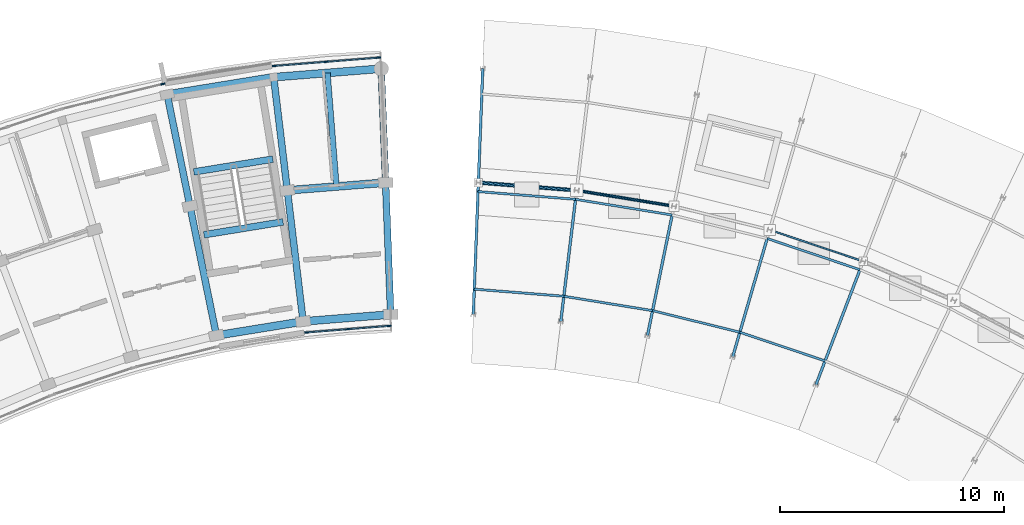
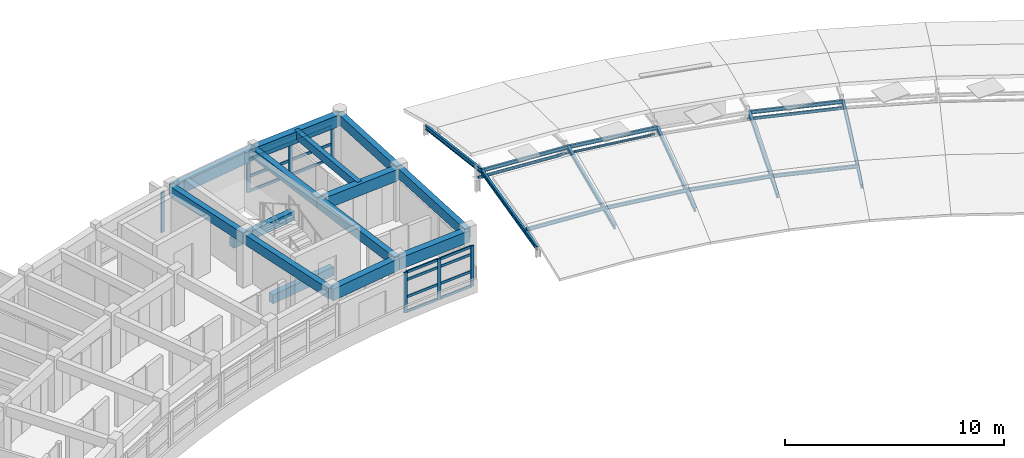
# One storey, part 10 of 20: 27 beams, 26 members, 3 elements without a shape of their own.
"""IFC4 building model written with IfcOpenShell, lengths in metres."""

from ifc_helpers import new_model, si_unit, direction, frame, origin, origin_2d, place, context, subcontext, project, spatial, rectangle, hollow_rectangle, hollow_circle, i_section, extrude, material, material_profile, profile_set, type_object, element, aggregate, save


model = new_model("IFC4")

# Units and contexts
model_context = context("Model", 3, precision=1e-05, world=origin(), true_north=direction((0.0, 1.0)))
body_context = subcontext(model_context, "Body", "Model", "MODEL_VIEW")
ifc_project = project(units=[si_unit("LENGTHUNIT", "METRE"), si_unit("AREAUNIT", "SQUARE_METRE"), si_unit("VOLUMEUNIT", "CUBIC_METRE"), si_unit("PLANEANGLEUNIT", "RADIAN"), si_unit("MASSUNIT", "GRAM", prefix="KILO")], contexts=[model_context])

# Site, building, storey
site_placement = place(None, origin())
site = spatial("IfcSite", under=ifc_project, at=site_placement, CompositionType="ELEMENT")
building_placement = place(site_placement, origin())
building = spatial("IfcBuilding", under=site, at=building_placement, Name="Zimvara Arc Housing Community", CompositionType="ELEMENT")
storey_placement = place(building_placement, frame((0.0, 0.0, 39.10009765625)))
storey = spatial("IfcBuildingStorey", under=building, at=storey_placement, Name="L12", CompositionType="ELEMENT", Elevation=39.10009765625)

# Beams
ifc_material_1 = material(Name="Concrete C40/50", Category="concrete")
ifc_material_profile_1 = material_profile(ifc_material_1, rectangle(XDim=0.25, YDim=0.449951171875, at=origin_2d()), Name="RC 250x450")
ifc_profile_set_1 = profile_set([ifc_material_profile_1], Name="Concrete C40/50")
beam_type_1 = type_object("IfcBeamType", Name="BM-RC-250x450", PredefinedType="JOIST", material=ifc_profile_set_1)
beam_1_placement = place(storey_placement, frame((40.7451171875, 98.08642578125, 2.635009765625), z_axis=(-0.079171686291, 0.99686099537, 0.0), x_axis=(-0.99686099537, -0.079171686291, 0.0)))
element("IfcBeam", 1, at=beam_1_placement, inside=storey, type_object=beam_type_1, Name="bm:blkA:L12:joist:b9", PredefinedType="JOIST", context=body_context, shape_type="SweptSolid", body=[
    extrude(rectangle(XDim=0.25, YDim=0.449951171875, at=origin_2d()), origin(), (0.0, 0.0, 1.0), 5.07568359375),
])
ifc_material_2 = material(Name="Concrete C40/50", Category="concrete")
ifc_material_profile_2 = material_profile(ifc_material_2, rectangle(XDim=0.300048828125, YDim=0.5, at=origin_2d()), Name="RC 300x500")
ifc_profile_set_2 = profile_set([ifc_material_profile_2], Name="Concrete C40/50")
beam_type_2 = type_object("IfcBeamType", Name="BM-RC-300x500", PredefinedType="BEAM", material=ifc_profile_set_2)
for number, where, z_axis, x_axis, name in (
    (2, (38.3662109375, 96.509033203125, -0.25), (-0.987080057935, -0.160227835371, 0.0), (0.160227835371, -0.987080057935, 0.0), "bm:stair_trim:ST-A2:L12:near"),
    (3, (37.911865234375, 99.307373046875, 1.2998046875), (-0.987080057935, -0.160227835371, 0.0), (0.160227835371, -0.987080057935, 0.0), "bm:stair_trim:ST-A2:L12:mid"),
):
    element("IfcBeam", number, at=place(storey_placement, frame(where, z_axis=z_axis, x_axis=x_axis)), inside=storey, type_object=beam_type_2, Name=name, PredefinedType="BEAM", context=body_context, shape_type="SweptSolid", body=[
        extrude(rectangle(XDim=0.300048828125, YDim=0.5, at=origin_2d()), origin(), (0.0, 0.0, 1.0), 3.570068359375),
    ])
ifc_material_3 = material(Name="Concrete C40/50", Category="concrete")
ifc_material_profile_3 = material_profile(ifc_material_3, rectangle(XDim=0.300048828125, YDim=0.550048828125, at=origin_2d()), Name="RC 300x550")
ifc_profile_set_3 = profile_set([ifc_material_profile_3], Name="Concrete C40/50")
beam_type_3 = type_object("IfcBeamType", Name="BM-RC-300x550", PredefinedType="BEAM", material=ifc_profile_set_3)
beam_2_placement = place(storey_placement, frame((35.397216796875, 91.447998046875, 2.5849609375), z_axis=(-0.200417973989, 0.979710485655, 0.0), x_axis=(-0.979710485655, -0.200417973989, 0.0)))
element("IfcBeam", 4, at=beam_2_placement, inside=storey, type_object=beam_type_3, Name="bm:blkA:L12:rad:b8:r12", PredefinedType="BEAM", context=body_context, shape_type="SweptSolid", body=[
    extrude(rectangle(XDim=0.300048828125, YDim=0.550048828125, at=origin_2d()), origin(), (0.0, 0.0, 1.0), 5.880126953125),
])
beam_3_placement = place(storey_placement, frame((34.21875, 97.208740234375, 2.5849609375), z_axis=(-0.200411962389, 0.97971171542, 0.0), x_axis=(-0.97971171542, -0.200411962389, 0.0)))
element("IfcBeam", 5, at=beam_3_placement, inside=storey, type_object=beam_type_3, Name="bm:blkA:L12:rad:b8:r23", PredefinedType="BEAM", context=body_context, shape_type="SweptSolid", body=[
    extrude(rectangle(XDim=0.300048828125, YDim=0.550048828125, at=origin_2d()), origin(), (0.0, 0.0, 1.0), 5.079833984375),
])
beam_4_placement = place(storey_placement, frame((39.259765625, 92.074951171875, 2.5849609375), z_axis=(-0.119827921695, 0.992794676246, 0.0), x_axis=(-0.992794676246, -0.119827921695, 0.0)))
element("IfcBeam", 6, at=beam_4_placement, inside=storey, type_object=beam_type_3, Name="bm:blkA:L12:rad:b9:r12", PredefinedType="BEAM", context=body_context, shape_type="SweptSolid", body=[
    extrude(rectangle(XDim=0.300048828125, YDim=0.550048828125, at=origin_2d()), origin(), (0.0, 0.0, 1.0), 5.880126953125),
])
beam_5_placement = place(storey_placement, frame((38.55517578125, 97.91259765625, 2.5849609375), z_axis=(-0.119762990499, 0.99280251113, 0.0), x_axis=(-0.99280251113, -0.119762990499, 0.0)))
element("IfcBeam", 7, at=beam_5_placement, inside=storey, type_object=beam_type_3, Name="bm:blkA:L12:rad:b9:r23", PredefinedType="BEAM", context=body_context, shape_type="SweptSolid", body=[
    extrude(rectangle(XDim=0.300048828125, YDim=0.550048828125, at=origin_2d()), origin(), (0.0, 0.0, 1.0), 5.080078125),
])
beam_6_placement = place(storey_placement, frame((43.160400390625, 92.384765625, 2.5849609375), z_axis=(-0.038366147405, 0.999263748333, 0.0), x_axis=(-0.999263748333, -0.038366147405, 0.0)))
element("IfcBeam", 8, at=beam_6_placement, inside=storey, type_object=beam_type_3, Name="bm:blkA:L12:rad:b10:r12", PredefinedType="BEAM", context=body_context, shape_type="SweptSolid", body=[
    extrude(rectangle(XDim=0.300048828125, YDim=0.550048828125, at=origin_2d()), origin(), (0.0, 0.0, 1.0), 5.8798828125),
])
beam_7_placement = place(storey_placement, frame((42.934814453125, 98.26025390625, 2.5849609375), z_axis=(-0.038398054907, 0.999262522753, 0.0), x_axis=(-0.999262522753, -0.038398054907, 0.0)))
element("IfcBeam", 9, at=beam_7_placement, inside=storey, type_object=beam_type_3, Name="bm:blkA:L12:rad:b10:r23", PredefinedType="BEAM", context=body_context, shape_type="SweptSolid", body=[
    extrude(rectangle(XDim=0.300048828125, YDim=0.550048828125, at=origin_2d()), origin(), (0.0, 0.0, 1.0), 5.080078125),
])
ifc_material_4 = material(Name="Concrete C40/50", Category="concrete")
ifc_material_profile_4 = material_profile(ifc_material_4, rectangle(XDim=0.35009765625, YDim=0.64990234375, at=origin_2d()), Name="RC 350x650")
ifc_profile_set_4 = profile_set([ifc_material_profile_4], Name="Concrete C40/50")
beam_type_4 = type_object("IfcBeamType", Name="BM-RC-350x650", PredefinedType="BEAM", material=ifc_profile_set_4)
beam_8_placement = place(storey_placement, frame((35.397216796875, 91.447998046875, 2.534912109375), z_axis=(0.987081487371, 0.160219029111, 0.0), x_axis=(-0.160219029111, 0.987081487371, 0.0)))
element("IfcBeam", 10, at=beam_8_placement, inside=storey, type_object=beam_type_4, Name="bm:blkA:L12:chord:r1:b8", PredefinedType="BEAM", context=body_context, shape_type="SweptSolid", body=[
    extrude(rectangle(XDim=0.35009765625, YDim=0.64990234375, at=origin_2d()), origin(), (0.0, 0.0, 1.0), 3.9130859375),
])
beam_9_placement = place(storey_placement, frame((39.259765625, 92.074951171875, 2.534912109375), z_axis=(0.99686054795, 0.079177319606, 0.0), x_axis=(-0.079177319606, 0.99686054795, 0.0)))
element("IfcBeam", 11, at=beam_9_placement, inside=storey, type_object=beam_type_4, Name="bm:blkA:L12:chord:r1:b9", PredefinedType="BEAM", context=body_context, shape_type="SweptSolid", body=[
    extrude(rectangle(XDim=0.35009765625, YDim=0.64990234375, at=origin_2d()), origin(), (0.0, 0.0, 1.0), 3.912841796875),
])
beam_10_placement = place(storey_placement, frame((38.55517578125, 97.91259765625, 2.534912109375), z_axis=(0.996864209836, 0.079131202119, 0.0), x_axis=(-0.079131202119, 0.996864209836, 0.0)))
element("IfcBeam", 12, at=beam_10_placement, inside=storey, type_object=beam_type_4, Name="bm:blkA:L12:chord:r2:b9", PredefinedType="BEAM", context=body_context, shape_type="SweptSolid", body=[
    extrude(rectangle(XDim=0.35009765625, YDim=0.64990234375, at=origin_2d()), origin(), (0.0, 0.0, 1.0), 4.393310546875),
])
beam_11_placement = place(storey_placement, frame((33.20068359375, 102.185546875, 2.534912109375), z_axis=(0.987076839731, 0.160247659784, 0.0), x_axis=(-0.160247659784, 0.987076839731, 0.0)))
element("IfcBeam", 13, at=beam_11_placement, inside=storey, type_object=beam_type_4, Name="bm:blkA:L12:chord:r3:b8", PredefinedType="BEAM", context=body_context, shape_type="SweptSolid", body=[
    extrude(rectangle(XDim=0.35009765625, YDim=0.64990234375, at=origin_2d()), origin(), (0.0, 0.0, 1.0), 4.808349609375),
])
beam_12_placement = place(storey_placement, frame((37.94677734375, 102.9560546875, 2.534912109375), z_axis=(0.996861768207, 0.0791619548, 0.0), x_axis=(-0.0791619548, 0.996861768207, 0.0)))
element("IfcBeam", 14, at=beam_12_placement, inside=storey, type_object=beam_type_4, Name="bm:blkA:L12:chord:r3:b9", PredefinedType="BEAM", context=body_context, shape_type="SweptSolid", body=[
    extrude(rectangle(XDim=0.35009765625, YDim=0.64990234375, at=origin_2d()), origin(), (0.0, 0.0, 1.0), 4.80810546875),
])
ifc_material_5 = material(Name="Steel S355", Category="steel")
ifc_material_profile_5 = material_profile(ifc_material_5, i_section(OverallWidth=0.10009765625, OverallDepth=0.199951171875, WebThickness=0.005615234375, FlangeThickness=0.008544921875, FilletRadius=0.011962890625, at=origin_2d()), Name="IPE 200")
ifc_profile_set_5 = profile_set([ifc_material_profile_5], Name="Steel S355")
beam_type_5 = type_object("IfcBeamType", Name="BM-ST-IPE200", PredefinedType="JOIST", material=ifc_profile_set_5)
beam_13_placement = place(storey_placement, frame((46.8828125, 93.513916015625, 0.824951171875), z_axis=(0.996860659962, -0.079175909342, 0.0), x_axis=(0.079175909342, 0.996860659962, 0.0)))
element("IfcBeam", 15, at=beam_13_placement, inside=storey, type_object=beam_type_5, Name="bm:blkB:L12:p_in:b0", PredefinedType="JOIST", context=body_context, shape_type="SweptSolid", body=[
    extrude(i_section(OverallWidth=0.10009765625, OverallDepth=0.199951171875, WebThickness=0.005615234375, FlangeThickness=0.008544921875, FilletRadius=0.011962890625, at=origin_2d()), origin(), (0.0, 0.0, 1.0), 4.005615234375),
])
beam_14_placement = place(storey_placement, frame((47.0498046875, 97.860595703125, 1.414794921875), z_axis=(0.996861396187, -0.079166639383, 0.0), x_axis=(0.079166639383, 0.996861396187, 0.0)))
element("IfcBeam", 16, at=beam_14_placement, inside=storey, type_object=beam_type_5, Name="bm:blkB:L12:p_crb:b0", PredefinedType="JOIST", context=body_context, shape_type="SweptSolid", body=[
    extrude(i_section(OverallWidth=0.10009765625, OverallDepth=0.199951171875, WebThickness=0.005615234375, FlangeThickness=0.008544921875, FilletRadius=0.011962890625, at=origin_2d()), origin(), (0.0, 0.0, 1.0), 4.360595703125),
])
beam_15_placement = place(storey_placement, frame((50.875732421875, 93.19677734375, 0.824951171875), z_axis=(0.987077089692, -0.160246120094, 0.0), x_axis=(0.160246120094, 0.987077089692, 0.0)))
element("IfcBeam", 17, at=beam_15_placement, inside=storey, type_object=beam_type_5, Name="bm:blkB:L12:p_in:b1", PredefinedType="JOIST", context=body_context, shape_type="SweptSolid", body=[
    extrude(i_section(OverallWidth=0.10009765625, OverallDepth=0.199951171875, WebThickness=0.005615234375, FlangeThickness=0.008544921875, FilletRadius=0.011962890625, at=origin_2d()), origin(), (0.0, 0.0, 1.0), 4.00537109375),
])
beam_16_placement = place(storey_placement, frame((51.396728515625, 97.515380859375, 1.414794921875), z_axis=(0.987087060582, -0.160184689752, 0.0), x_axis=(0.160184689752, 0.987087060582, 0.0)))
element("IfcBeam", 18, at=beam_16_placement, inside=storey, type_object=beam_type_5, Name="bm:blkB:L12:p_crb:b1", PredefinedType="JOIST", context=body_context, shape_type="SweptSolid", body=[
    extrude(i_section(OverallWidth=0.10009765625, OverallDepth=0.199951171875, WebThickness=0.005615234375, FlangeThickness=0.008544921875, FilletRadius=0.011962890625, at=origin_2d()), origin(), (0.0, 0.0, 1.0), 4.360595703125),
])
beam_17_placement = place(storey_placement, frame((54.829345703125, 92.554931640625, 0.824951171875), z_axis=(0.970717036884, -0.240225798578, 0.0), x_axis=(0.240225798578, 0.970717036884, 0.0)))
element("IfcBeam", 19, at=beam_17_placement, inside=storey, type_object=beam_type_5, Name="bm:blkB:L12:p_in:b2", PredefinedType="JOIST", context=body_context, shape_type="SweptSolid", body=[
    extrude(i_section(OverallWidth=0.10009765625, OverallDepth=0.199951171875, WebThickness=0.005615234375, FlangeThickness=0.008544921875, FilletRadius=0.011962890625, at=origin_2d()), origin(), (0.0, 0.0, 1.0), 4.005126953125),
])
beam_18_placement = place(storey_placement, frame((58.71728515625, 91.5927734375, 0.824951171875), z_axis=(0.947887924161, -0.318603959847, 0.0), x_axis=(0.318603959847, 0.947887924161, 0.0)))
element("IfcBeam", 20, at=beam_18_placement, inside=storey, type_object=beam_type_5, Name="bm:blkB:L12:p_in:b3", PredefinedType="JOIST", context=body_context, shape_type="SweptSolid", body=[
    extrude(i_section(OverallWidth=0.10009765625, OverallDepth=0.199951171875, WebThickness=0.005615234375, FlangeThickness=0.008544921875, FilletRadius=0.011962890625, at=origin_2d()), origin(), (0.0, 0.0, 1.0), 4.00537109375),
])
beam_19_placement = place(storey_placement, frame((59.933837890625, 95.769287109375, 1.414794921875), z_axis=(0.947879626716, -0.318628644751, 0.0), x_axis=(0.318628644751, 0.947879626716, 0.0)))
element("IfcBeam", 21, at=beam_19_placement, inside=storey, type_object=beam_type_5, Name="bm:blkB:L12:p_crb:b3", PredefinedType="JOIST", context=body_context, shape_type="SweptSolid", body=[
    extrude(i_section(OverallWidth=0.10009765625, OverallDepth=0.199951171875, WebThickness=0.005615234375, FlangeThickness=0.008544921875, FilletRadius=0.011962890625, at=origin_2d()), origin(), (0.0, 0.0, 1.0), 4.360595703125),
])
ifc_material_6 = material(Name="Steel S355", Category="steel")
ifc_material_profile_6 = material_profile(ifc_material_6, i_section(OverallWidth=0.1201171875, OverallDepth=0.239990234375, WebThickness=0.006103515625, FlangeThickness=0.009765625, FilletRadius=0.014892578125, at=origin_2d()), Name="IPE 240")
ifc_profile_set_6 = profile_set([ifc_material_profile_6], Name="Steel S355")
beam_type_6 = type_object("IfcBeamType", Name="BM-ST-IPE240", PredefinedType="JOIST", material=ifc_profile_set_6)
beam_20_placement = place(storey_placement, frame((46.839599609375, 92.384765625, 0.46240234375), z_axis=(0.037815797876, 0.985099338622, 0.167777407532), x_axis=(-0.999264001686, 0.03835954815, 0.0)))
element("IfcBeam", 22, at=beam_20_placement, inside=storey, type_object=beam_type_6, Name="bm:blkB:L12:rf_in:g0", PredefinedType="JOIST", context=body_context, shape_type="SweptSolid", body=[
    extrude(i_section(OverallWidth=0.1201171875, OverallDepth=0.239990234375, WebThickness=0.006103515625, FlangeThickness=0.009765625, FilletRadius=0.014892578125, at=origin_2d()), origin(), (0.0, 0.0, 1.0), 5.55859375),
])
beam_21_placement = place(storey_placement, frame((47.0498046875, 97.860595703125, 1.39501953125), z_axis=(0.037858017772, 0.985099000726, -0.167769869941), x_axis=(-0.999262358654, 0.038402325152, 0.0)))
element("IfcBeam", 23, at=beam_21_placement, inside=storey, type_object=beam_type_6, Name="bm:blkB:L12:rf_out:g0", PredefinedType="JOIST", context=body_context, shape_type="SweptSolid", body=[
    extrude(i_section(OverallWidth=0.1201171875, OverallDepth=0.239990234375, WebThickness=0.006103515625, FlangeThickness=0.009765625, FilletRadius=0.014892578125, at=origin_2d()), origin(), (0.0, 0.0, 1.0), 5.558837890625),
])
beam_22_placement = place(storey_placement, frame((50.740234375, 92.074951171875, 0.46240234375), z_axis=(0.118102311905, 0.978725146331, 0.167776434167), x_axis=(-0.992797988576, 0.119800475286, 0.0)))
element("IfcBeam", 24, at=beam_22_placement, inside=storey, type_object=beam_type_6, Name="bm:blkB:L12:rf_in:g1", PredefinedType="JOIST", context=body_context, shape_type="SweptSolid", body=[
    extrude(i_section(OverallWidth=0.1201171875, OverallDepth=0.239990234375, WebThickness=0.006103515625, FlangeThickness=0.009765625, FilletRadius=0.014892578125, at=origin_2d()), origin(), (0.0, 0.0, 1.0), 5.55859375),
])
for number, where, z_axis, x_axis, name in (
    (25, (54.602783203125, 91.447998046875, 0.46240234375), (0.197549085334, 0.965829687766, 0.167771788789), (-0.979716323781, 0.200389433148, 0.0), "bm:blkB:L12:rf_in:g2"),
    (26, (58.4013671875, 90.5078125, 0.46240234375), (0.275678825355, 0.946495836422, 0.167770131091), (-0.960104216837, 0.279642437431, 0.0), "bm:blkB:L12:rf_in:g3"),
    (27, (62.110595703125, 89.260986328125, 0.46240234375), (0.351968315666, 0.920853465755, 0.167771271006), (-0.9340933531, 0.357028861151, 0.0), "bm:blkB:L12:rf_in:g4"),
):
    element("IfcBeam", number, at=place(storey_placement, frame(where, z_axis=z_axis, x_axis=x_axis)), inside=storey, type_object=beam_type_6, Name=name, PredefinedType="JOIST", context=body_context, shape_type="SweptSolid", body=[
        extrude(i_section(OverallWidth=0.1201171875, OverallDepth=0.239990234375, WebThickness=0.006103515625, FlangeThickness=0.009765625, FilletRadius=0.014892578125, at=origin_2d()), origin(), (0.0, 0.0, 1.0), 5.558837890625),
    ])

# Curtain wall, members
ifc_material_7 = material(Name="Anodised Aluminium AW-6063", Category="aluminium")
curtain_wall_type_1 = type_object("IfcCurtainWallType", Name="CW-SYS-08", PredefinedType="USERDEFINED", material=ifc_material_7)
curtain_wall_1_placement = place(storey_placement, origin())
curtain_wall_1 = element("IfcCurtainWall", 28, at=curtain_wall_1_placement, inside=storey, type_object=curtain_wall_type_1, Name="cw:blkA:L12:in:b9", ObjectType="CURTAIN WALL", PredefinedType="USERDEFINED")
ifc_material_8 = material(Name="Anodised Aluminium AW-6063", Category="aluminium")
ifc_material_profile_7 = material_profile(ifc_material_8, rectangle(XDim=0.06494140625, YDim=0.179931640625, at=origin_2d()), Name="ALU 65x180")
ifc_profile_set_7 = profile_set([ifc_material_profile_7], Name="Anodised Aluminium AW-6063")
member_type_1 = type_object("IfcMemberType", Name="CWM-65x150", PredefinedType="MULLION", material=ifc_profile_set_7)
member_1_placement = place(storey_placement, frame((39.411865234375, 91.5859375, 0.0), z_axis=(0.0, 0.0, 1.0), x_axis=(-0.079155101851, 0.996862312384, 0.0)))
member_1 = element("IfcMember", 29, at=member_1_placement, type_object=member_type_1, Name="CW08 mullion 1", PredefinedType="MULLION", context=body_context, shape_type="SweptSolid", body=[
    extrude(rectangle(XDim=0.06494140625, YDim=0.179931640625, at=origin_2d()), origin(), (0.0, 0.0, 1.0), 2.25),
])
member_2_placement = place(storey_placement, frame((41.24951171875, 91.731689453125, 0.0), z_axis=(0.0, 0.0, 1.0), x_axis=(-0.079155101851, 0.996862312384, 0.0)))
member_2 = element("IfcMember", 30, at=member_2_placement, type_object=member_type_1, Name="CW08 mullion 2", PredefinedType="MULLION", context=body_context, shape_type="SweptSolid", body=[
    extrude(rectangle(XDim=0.06494140625, YDim=0.179931640625, at=origin_2d()), origin(), (0.0, 0.0, 1.0), 2.25),
])
member_3_placement = place(storey_placement, frame((43.08740234375, 91.877685546875, 0.0), z_axis=(0.0, 0.0, 1.0), x_axis=(-0.079155101851, 0.996862312384, 0.0)))
member_3 = element("IfcMember", 31, at=member_3_placement, type_object=member_type_1, Name="CW08 mullion 3", PredefinedType="MULLION", context=body_context, shape_type="SweptSolid", body=[
    extrude(rectangle(XDim=0.06494140625, YDim=0.179931640625, at=origin_2d()), origin(), (0.0, 0.0, 1.0), 2.25),
])

# Curtain wall, member
ifc_material_9 = material(Name="Anodised Aluminium AW-6063", Category="aluminium")
curtain_wall_type_2 = type_object("IfcCurtainWallType", Name="CW-SYS-05", PredefinedType="USERDEFINED", material=ifc_material_9)
curtain_wall_2_placement = place(storey_placement, origin())
curtain_wall_2 = element("IfcCurtainWall", 32, at=curtain_wall_2_placement, inside=storey, type_object=curtain_wall_type_2, Name="cw:blkA:L12:out:b7", ObjectType="CURTAIN WALL", PredefinedType="USERDEFINED")
ifc_material_10 = material(Name="Anodised Aluminium AW-6063", Category="aluminium")
ifc_material_profile_8 = material_profile(ifc_material_10, rectangle(XDim=0.06494140625, YDim=0.195068359375, at=origin_2d()), Name="ALU 65x195")
ifc_profile_set_8 = profile_set([ifc_material_profile_8], Name="Anodised Aluminium AW-6063")
member_type_2 = type_object("IfcMemberType", Name="CWM-65x180", PredefinedType="MULLION", material=ifc_profile_set_8)
member_4_placement = place(storey_placement, frame((33.0107421875, 102.6533203125, 0.0), z_axis=(0.0, 0.0, 1.0), x_axis=(-0.240229711131, 0.970716068627, 0.0)))
member_4 = element("IfcMember", 33, at=member_4_placement, type_object=member_type_2, Name="CW05 mullion 3", PredefinedType="MULLION", context=body_context, shape_type="SweptSolid", body=[
    extrude(rectangle(XDim=0.06494140625, YDim=0.195068359375, at=origin_2d()), origin(), (0.0, 0.0, 1.0), 2.25),
])
aggregate(curtain_wall_2, [member_4])

# Curtain wall, members
ifc_material_11 = material(Name="Anodised Aluminium AW-6063", Category="aluminium")
curtain_wall_type_3 = type_object("IfcCurtainWallType", Name="CW-SYS-07", PredefinedType="USERDEFINED", material=ifc_material_11)
curtain_wall_3_placement = place(storey_placement, origin())
curtain_wall_3 = element("IfcCurtainWall", 34, at=curtain_wall_3_placement, inside=storey, type_object=curtain_wall_type_3, Name="cw:blkA:L12:out:b9", ObjectType="CURTAIN WALL", PredefinedType="USERDEFINED")
member_5_placement = place(storey_placement, frame((37.97900390625, 103.459716796875, 0.0), z_axis=(0.0, 0.0, 1.0), x_axis=(-0.079153759607, 0.996862418963, 0.0)))
member_5 = element("IfcMember", 35, at=member_5_placement, type_object=member_type_2, Name="CW07 mullion 1", PredefinedType="MULLION", context=body_context, shape_type="SweptSolid", body=[
    extrude(rectangle(XDim=0.06494140625, YDim=0.195068359375, at=origin_2d()), origin(), (0.0, 0.0, 1.0), 2.25),
])
member_6_placement = place(storey_placement, frame((40.3037109375, 103.644287109375, 0.0), z_axis=(0.0, 0.0, 1.0), x_axis=(-0.079153759607, 0.996862418963, 0.0)))
member_6 = element("IfcMember", 36, at=member_6_placement, type_object=member_type_2, Name="CW07 mullion 2", PredefinedType="MULLION", context=body_context, shape_type="SweptSolid", body=[
    extrude(rectangle(XDim=0.06494140625, YDim=0.195068359375, at=origin_2d()), origin(), (0.0, 0.0, 1.0), 2.25),
])
member_7_placement = place(storey_placement, frame((42.62841796875, 103.828857421875, 0.0), z_axis=(0.0, 0.0, 1.0), x_axis=(-0.079153759607, 0.996862418963, 0.0)))
member_7 = element("IfcMember", 37, at=member_7_placement, type_object=member_type_2, Name="CW07 mullion 3", PredefinedType="MULLION", context=body_context, shape_type="SweptSolid", body=[
    extrude(rectangle(XDim=0.06494140625, YDim=0.195068359375, at=origin_2d()), origin(), (0.0, 0.0, 1.0), 2.25),
])

# Member
ifc_material_12 = material(Name="Anodised Aluminium AW-6063", Category="aluminium")
ifc_material_profile_9 = material_profile(ifc_material_12, rectangle(XDim=0.06494140625, YDim=0.139892578125, at=origin_2d()), Name="ALU 65x140")
ifc_profile_set_9 = profile_set([ifc_material_profile_9], Name="Anodised Aluminium AW-6063")
member_type_3 = type_object("IfcMemberType", Name="CWT-65x120", PredefinedType="USERDEFINED", material=ifc_profile_set_9)
member_8_placement = place(storey_placement, frame((39.444091796875, 91.58837890625, 0.032470703125), z_axis=(0.996859203924, 0.079194239386, 0.0), x_axis=(-0.079194239386, 0.996859203924, 0.0)))
member_8 = element("IfcMember", 38, at=member_8_placement, type_object=member_type_3, Name="CW08 transom 1.1", ObjectType="TRANSOM", PredefinedType="USERDEFINED", context=body_context, shape_type="SweptSolid", body=[
    extrude(rectangle(XDim=0.06494140625, YDim=0.139892578125, at=origin_2d()), origin(), (0.0, 0.0, 1.0), 1.77880859375),
])

member_9_placement = place(storey_placement, frame((39.444091796875, 91.58837890625, 0.849853515625), z_axis=(0.996859203924, 0.079194239386, 0.0), x_axis=(-0.079194239386, 0.996859203924, 0.0)))
member_9 = element("IfcMember", 39, at=member_9_placement, type_object=member_type_3, Name="CW08 transom 1.2", ObjectType="TRANSOM", PredefinedType="USERDEFINED", context=body_context, shape_type="SweptSolid", body=[
    extrude(rectangle(XDim=0.06494140625, YDim=0.139892578125, at=origin_2d()), origin(), (0.0, 0.0, 1.0), 1.77880859375),
])

member_10_placement = place(storey_placement, frame((39.444091796875, 91.58837890625, 1.7998046875), z_axis=(0.996859203924, 0.079194239386, 0.0), x_axis=(-0.079194239386, 0.996859203924, 0.0)))
member_10 = element("IfcMember", 40, at=member_10_placement, type_object=member_type_3, Name="CW08 transom 1.3", ObjectType="TRANSOM", PredefinedType="USERDEFINED", context=body_context, shape_type="SweptSolid", body=[
    extrude(rectangle(XDim=0.06494140625, YDim=0.139892578125, at=origin_2d()), origin(), (0.0, 0.0, 1.0), 1.77880859375),
])

member_11_placement = place(storey_placement, frame((39.444091796875, 91.58837890625, 2.21728515625), z_axis=(0.996859203924, 0.079194239386, 0.0), x_axis=(-0.079194239386, 0.996859203924, 0.0)))
member_11 = element("IfcMember", 41, at=member_11_placement, type_object=member_type_3, Name="CW08 transom 1.4", ObjectType="TRANSOM", PredefinedType="USERDEFINED", context=body_context, shape_type="SweptSolid", body=[
    extrude(rectangle(XDim=0.06494140625, YDim=0.139892578125, at=origin_2d()), origin(), (0.0, 0.0, 1.0), 1.77880859375),
])

member_12_placement = place(storey_placement, frame((41.281982421875, 91.734375, 0.032470703125), z_axis=(0.996858342942, 0.079205076271, 0.0), x_axis=(-0.079205076271, 0.996858342942, 0.0)))
member_12 = element("IfcMember", 42, at=member_12_placement, type_object=member_type_3, Name="CW08 transom 2.1", ObjectType="TRANSOM", PredefinedType="USERDEFINED", context=body_context, shape_type="SweptSolid", body=[
    extrude(rectangle(XDim=0.06494140625, YDim=0.139892578125, at=origin_2d()), origin(), (0.0, 0.0, 1.0), 1.778564453125),
])

member_13_placement = place(storey_placement, frame((41.281982421875, 91.734375, 0.849853515625), z_axis=(0.996858342942, 0.079205076271, 0.0), x_axis=(-0.079205076271, 0.996858342942, 0.0)))
member_13 = element("IfcMember", 43, at=member_13_placement, type_object=member_type_3, Name="CW08 transom 2.2", ObjectType="TRANSOM", PredefinedType="USERDEFINED", context=body_context, shape_type="SweptSolid", body=[
    extrude(rectangle(XDim=0.06494140625, YDim=0.139892578125, at=origin_2d()), origin(), (0.0, 0.0, 1.0), 1.778564453125),
])

member_14_placement = place(storey_placement, frame((41.281982421875, 91.734375, 1.7998046875), z_axis=(0.996858342942, 0.079205076271, 0.0), x_axis=(-0.079205076271, 0.996858342942, 0.0)))
member_14 = element("IfcMember", 44, at=member_14_placement, type_object=member_type_3, Name="CW08 transom 2.3", ObjectType="TRANSOM", PredefinedType="USERDEFINED", context=body_context, shape_type="SweptSolid", body=[
    extrude(rectangle(XDim=0.06494140625, YDim=0.139892578125, at=origin_2d()), origin(), (0.0, 0.0, 1.0), 1.778564453125),
])

member_15_placement = place(storey_placement, frame((41.281982421875, 91.734375, 2.21728515625), z_axis=(0.996858342942, 0.079205076271, 0.0), x_axis=(-0.079205076271, 0.996858342942, 0.0)))
member_15 = element("IfcMember", 45, at=member_15_placement, type_object=member_type_3, Name="CW08 transom 2.4", ObjectType="TRANSOM", PredefinedType="USERDEFINED", context=body_context, shape_type="SweptSolid", body=[
    extrude(rectangle(XDim=0.06494140625, YDim=0.139892578125, at=origin_2d()), origin(), (0.0, 0.0, 1.0), 1.778564453125),
])

aggregate(curtain_wall_1, [member_1, member_2, member_3, member_8, member_9, member_10, member_11, member_12, member_13, member_14, member_15])

ifc_material_13 = material(Name="Anodised Aluminium AW-6063", Category="aluminium")
ifc_material_profile_10 = material_profile(ifc_material_13, rectangle(XDim=0.06494140625, YDim=0.155029296875, at=origin_2d()), Name="ALU 65x155")
ifc_profile_set_10 = profile_set([ifc_material_profile_10], Name="Anodised Aluminium AW-6063")
member_type_4 = type_object("IfcMemberType", Name="CWT-65x140", PredefinedType="USERDEFINED", material=ifc_profile_set_10)
member_16_placement = place(storey_placement, frame((38.011474609375, 103.46240234375, 0.032470703125), z_axis=(0.996862021022, 0.079158771116, 0.0), x_axis=(-0.079158771116, 0.996862021022, 0.0)))
member_16 = element("IfcMember", 46, at=member_16_placement, type_object=member_type_4, Name="CW07 transom 1.1", ObjectType="TRANSOM", PredefinedType="USERDEFINED", context=body_context, shape_type="SweptSolid", body=[
    extrude(rectangle(XDim=0.06494140625, YDim=0.155029296875, at=origin_2d()), origin(), (0.0, 0.0, 1.0), 2.266845703125),
])

member_17_placement = place(storey_placement, frame((38.011474609375, 103.46240234375, 0.849853515625), z_axis=(0.996862021022, 0.079158771116, 0.0), x_axis=(-0.079158771116, 0.996862021022, 0.0)))
member_17 = element("IfcMember", 47, at=member_17_placement, type_object=member_type_4, Name="CW07 transom 1.2", ObjectType="TRANSOM", PredefinedType="USERDEFINED", context=body_context, shape_type="SweptSolid", body=[
    extrude(rectangle(XDim=0.06494140625, YDim=0.155029296875, at=origin_2d()), origin(), (0.0, 0.0, 1.0), 2.266845703125),
])

member_18_placement = place(storey_placement, frame((38.011474609375, 103.46240234375, 1.7998046875), z_axis=(0.996862021022, 0.079158771116, 0.0), x_axis=(-0.079158771116, 0.996862021022, 0.0)))
member_18 = element("IfcMember", 48, at=member_18_placement, type_object=member_type_4, Name="CW07 transom 1.3", ObjectType="TRANSOM", PredefinedType="USERDEFINED", context=body_context, shape_type="SweptSolid", body=[
    extrude(rectangle(XDim=0.06494140625, YDim=0.155029296875, at=origin_2d()), origin(), (0.0, 0.0, 1.0), 2.266845703125),
])

member_19_placement = place(storey_placement, frame((38.011474609375, 103.46240234375, 2.21728515625), z_axis=(0.996862021022, 0.079158771116, 0.0), x_axis=(-0.079158771116, 0.996862021022, 0.0)))
member_19 = element("IfcMember", 49, at=member_19_placement, type_object=member_type_4, Name="CW07 transom 1.4", ObjectType="TRANSOM", PredefinedType="USERDEFINED", context=body_context, shape_type="SweptSolid", body=[
    extrude(rectangle(XDim=0.06494140625, YDim=0.155029296875, at=origin_2d()), origin(), (0.0, 0.0, 1.0), 2.266845703125),
])

member_20_placement = place(storey_placement, frame((40.336181640625, 103.64697265625, 0.032470703125), z_axis=(0.996862021022, 0.079158771116, 0.0), x_axis=(-0.079158771116, 0.996862021022, 0.0)))
member_20 = element("IfcMember", 50, at=member_20_placement, type_object=member_type_4, Name="CW07 transom 2.1", ObjectType="TRANSOM", PredefinedType="USERDEFINED", context=body_context, shape_type="SweptSolid", body=[
    extrude(rectangle(XDim=0.06494140625, YDim=0.155029296875, at=origin_2d()), origin(), (0.0, 0.0, 1.0), 2.266845703125),
])

member_21_placement = place(storey_placement, frame((40.336181640625, 103.64697265625, 0.849853515625), z_axis=(0.996862021022, 0.079158771116, 0.0), x_axis=(-0.079158771116, 0.996862021022, 0.0)))
member_21 = element("IfcMember", 51, at=member_21_placement, type_object=member_type_4, Name="CW07 transom 2.2", ObjectType="TRANSOM", PredefinedType="USERDEFINED", context=body_context, shape_type="SweptSolid", body=[
    extrude(rectangle(XDim=0.06494140625, YDim=0.155029296875, at=origin_2d()), origin(), (0.0, 0.0, 1.0), 2.266845703125),
])

member_22_placement = place(storey_placement, frame((40.336181640625, 103.64697265625, 1.7998046875), z_axis=(0.996862021022, 0.079158771116, 0.0), x_axis=(-0.079158771116, 0.996862021022, 0.0)))
member_22 = element("IfcMember", 52, at=member_22_placement, type_object=member_type_4, Name="CW07 transom 2.3", ObjectType="TRANSOM", PredefinedType="USERDEFINED", context=body_context, shape_type="SweptSolid", body=[
    extrude(rectangle(XDim=0.06494140625, YDim=0.155029296875, at=origin_2d()), origin(), (0.0, 0.0, 1.0), 2.266845703125),
])

member_23_placement = place(storey_placement, frame((40.336181640625, 103.64697265625, 2.21728515625), z_axis=(0.996862021022, 0.079158771116, 0.0), x_axis=(-0.079158771116, 0.996862021022, 0.0)))
member_23 = element("IfcMember", 53, at=member_23_placement, type_object=member_type_4, Name="CW07 transom 2.4", ObjectType="TRANSOM", PredefinedType="USERDEFINED", context=body_context, shape_type="SweptSolid", body=[
    extrude(rectangle(XDim=0.06494140625, YDim=0.155029296875, at=origin_2d()), origin(), (0.0, 0.0, 1.0), 2.266845703125),
])

aggregate(curtain_wall_3, [member_5, member_6, member_7, member_16, member_17, member_18, member_19, member_20, member_21, member_22, member_23])

# Members
ifc_material_14 = material(Name="Steel S355", Category="steel")
ifc_material_profile_11 = material_profile(ifc_material_14, hollow_rectangle(XDim=0.080078125, YDim=0.159912109375, WallThickness=0.00634765625, InnerFilletRadius=0.00634765625, OuterFilletRadius=0.0126953125, at=origin_2d()), Name="RHS 160x80x6.3")
ifc_profile_set_11 = profile_set([ifc_material_profile_11], Name="Steel S355")
member_type_5 = type_object("IfcMemberType", Name="MB-PURLIN-RHS160", PredefinedType="PURLIN", material=ifc_profile_set_11)
member_24_placement = place(storey_placement, frame((60.0458984375, 96.1533203125, 0.77001953125), z_axis=(0.947868796036, -0.318660862832, 0.0), x_axis=(0.318660862832, 0.947868796036, 0.0)))
element("IfcMember", 54, at=member_24_placement, inside=storey, type_object=member_type_5, Name="mb:blkB:L12:brace:b3", PredefinedType="PURLIN", context=body_context, shape_type="SweptSolid", body=[
    extrude(hollow_rectangle(XDim=0.080078125, YDim=0.159912109375, WallThickness=0.00634765625, InnerFilletRadius=0.00634765625, OuterFilletRadius=0.0126953125, at=origin_2d()), origin(), (0.0, 0.0, 1.0), 4.39306640625),
])
ifc_material_15 = material(Name="Steel S355", Category="steel")
ifc_material_profile_12 = material_profile(ifc_material_15, hollow_circle(Radius=0.06982421875, WallThickness=0.00634765625, at=origin_2d()), Name="CHS 139.7x6.3")
ifc_profile_set_12 = profile_set([ifc_material_profile_12], Name="Steel S355")
member_type_6 = type_object("IfcMemberType", Name="MB-STRUT-CHS140", PredefinedType="STRUT", material=ifc_profile_set_12)
member_25_placement = place(storey_placement, frame((51.44482421875, 97.91259765625, 0.77001953125), z_axis=(0.98708197233, -0.160216041337, 0.0), x_axis=(0.160216041337, 0.98708197233, 0.0)))
element("IfcMember", 55, at=member_25_placement, inside=storey, type_object=member_type_6, Name="mb:blkB:L12:brace:b1", PredefinedType="STRUT", context=body_context, shape_type="SweptSolid", body=[
    extrude(hollow_circle(Radius=0.06982421875, WallThickness=0.00634765625, at=origin_2d()), origin(), (0.0, 0.0, 1.0), 4.39306640625),
])
ifc_material_16 = material(Name="Steel S355", Category="steel")
ifc_material_profile_13 = material_profile(ifc_material_16, hollow_circle(Radius=0.084228515625, WallThickness=0.008056640625, at=origin_2d()), Name="CHS 168.3x8.0")
ifc_profile_set_13 = profile_set([ifc_material_profile_13], Name="Steel S355")
member_type_7 = type_object("IfcMemberType", Name="MB-STRUT-CHS168", PredefinedType="STRUT", material=ifc_profile_set_13)
member_26_placement = place(storey_placement, frame((47.065185546875, 98.26025390625, 0.77001953125), z_axis=(0.996864209836, -0.079131202119, 0.0), x_axis=(0.079131202119, 0.996864209836, 0.0)))
element("IfcMember", 56, at=member_26_placement, inside=storey, type_object=member_type_7, Name="mb:blkB:L12:brace:b0", PredefinedType="STRUT", context=body_context, shape_type="SweptSolid", body=[
    extrude(hollow_circle(Radius=0.084228515625, WallThickness=0.008056640625, at=origin_2d()), origin(), (0.0, 0.0, 1.0), 4.393310546875),
])

save(model, "model.ifc")
